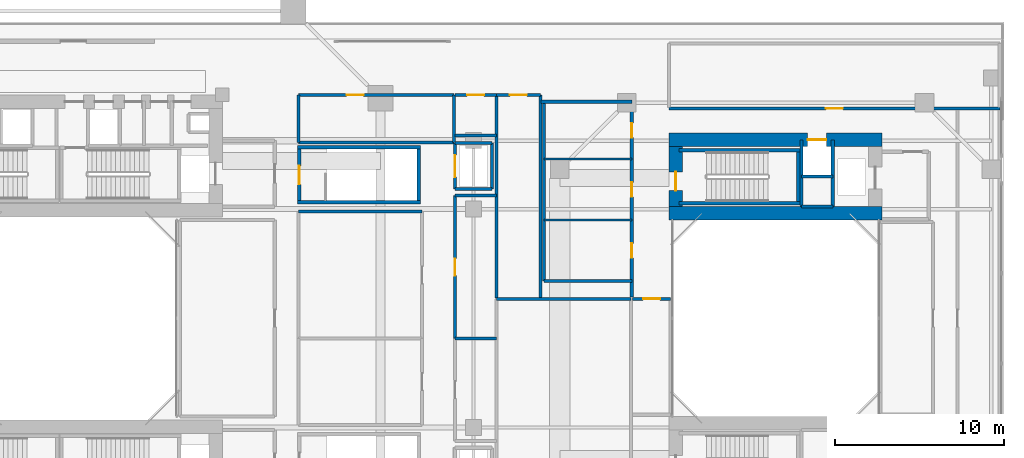
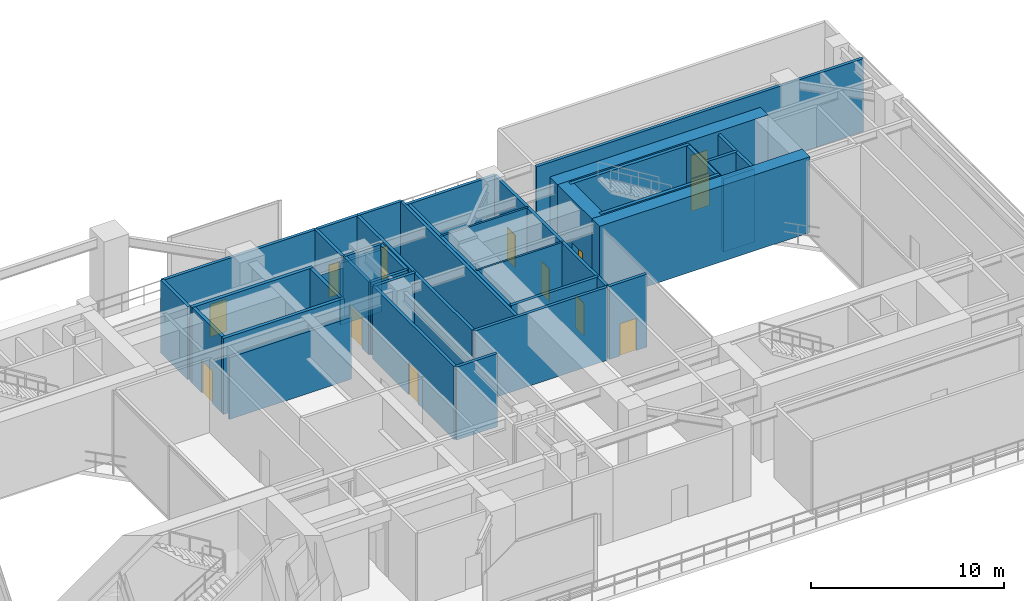
# One storey, part 14 of 19: 40 walls, 13 doors, 13 openings.
"""IFC4 building model written with IfcOpenShell, lengths in metres."""

from ifc_helpers import new_model, si_unit, direction, frame, frame_2d, origin, place, context, subcontext, project, spatial, rectangle, extrude, source, transform, mapped, material, layer, layer_set, type_object, element, fill, save


model = new_model("IFC4")

# Units and contexts
model_context = context("Model", 3, precision=1e-05, world=origin(), true_north=direction((0.0, 1.0)))
body_context = subcontext(model_context, "Body", "Model", "MODEL_VIEW")
ifc_project = project(units=[si_unit("LENGTHUNIT", "METRE"), si_unit("AREAUNIT", "SQUARE_METRE"), si_unit("VOLUMEUNIT", "CUBIC_METRE"), si_unit("PLANEANGLEUNIT", "RADIAN"), si_unit("MASSUNIT", "GRAM", prefix="KILO"), si_unit("THERMODYNAMICTEMPERATUREUNIT", "KELVIN"), si_unit("POWERUNIT", "WATT")], contexts=[model_context])

# Site, building, storey
site_placement = place(None, origin())
site = spatial("IfcSite", under=ifc_project, at=site_placement, CompositionType="ELEMENT")
building_placement = place(site_placement, origin())
building = spatial("IfcBuilding", under=site, at=building_placement, Name="Qiaomeng Ring Towers", CompositionType="ELEMENT")
storey_placement = place(building_placement, frame((0.0, 0.0, 18.199951171875)))
storey = spatial("IfcBuildingStorey", under=building, at=storey_placement, Name="L04", CompositionType="ELEMENT", Elevation=18.199951171875)

# Wall, openings, doors
ifc_material_1 = material(Name="Autoclaved aerated concrete block", Category="concrete")
ifc_layer_1 = layer(ifc_material_1, 0.179931640625, Name="Autoclaved aerated concrete block")
ifc_layer_set_1 = layer_set([ifc_layer_1], Name="Autoclaved aerated concrete block")
wall_type_1 = type_object("IfcWallType", Name="ARC-WL-PW2", PredefinedType="PARTITIONING", material=ifc_layer_set_1)
wall_1_placement = place(storey_placement, frame((52.0, 24.25, 0.0), z_axis=(0.0, 0.0, 1.0), x_axis=(0.0, 1.0, 0.0)))
wall_1 = element("IfcWall", 1, at=wall_1_placement, inside=storey, type_object=wall_type_1, Name="L04 Interior Wall PW2", PredefinedType="PARTITIONING", context=body_context, shape_type="SweptSolid", body=[
    extrude(rectangle(XDim=11.550048828125, YDim=0.179931640625, at=frame_2d((5.77490234375, 0.0))), origin(), (0.0, 0.0, 1.0), 4.6201171875),
])
opening_1_placement = place(wall_1_placement, frame((2.324951171875, 0.0, 0.0)))
opening_1 = element("IfcOpeningElement", 2, at=opening_1_placement, cuts=wall_1, Name="Opening ID2", PredefinedType="OPENING", context=body_context, shape_type="SweptSolid", body=[
    extrude(rectangle(XDim=0.85009765625, YDim=2.050048828125, at=frame_2d((0.425048828125, 1.02490234375))), frame((0.0, 0.099853515625, 0.0), z_axis=(0.0, -1.0, 0.0), x_axis=(1.0, 0.0, 0.0)), (0.0, 0.0, 1.0), 0.199951171875),
])
opening_2_placement = place(wall_1_placement, frame((5.929931640625, 0.0, 0.0)))
opening_2 = element("IfcOpeningElement", 3, at=opening_2_placement, cuts=wall_1, Name="Opening ID2", PredefinedType="OPENING", context=body_context, shape_type="SweptSolid", body=[
    extrude(rectangle(XDim=0.85009765625, YDim=2.050048828125, at=frame_2d((0.425048828125, 1.02490234375))), frame((0.0, 0.099853515625, 0.0), z_axis=(0.0, -1.0, 0.0), x_axis=(1.0, 0.0, 0.0)), (0.0, 0.0, 1.0), 0.199951171875),
])
opening_3_placement = place(wall_1_placement, frame((9.429931640625, 0.0, 0.0)))
opening_3 = element("IfcOpeningElement", 4, at=opening_3_placement, cuts=wall_1, Name="Opening ID2", PredefinedType="OPENING", context=body_context, shape_type="SweptSolid", body=[
    extrude(rectangle(XDim=0.85009765625, YDim=2.050048828125, at=frame_2d((0.425048828125, 1.02490234375))), frame((0.0, 0.099853515625, 0.0), z_axis=(0.0, -1.0, 0.0), x_axis=(1.0, 0.0, 0.0)), (0.0, 0.0, 1.0), 0.199951171875),
])
ifc_material_2 = material(Name="Moisture-resistant engineered timber", Category="wood")
door_type_1 = type_object("IfcDoorType", Name="ARC-DR-ID2", OperationType="NOTDEFINED", PredefinedType="DOOR", material=ifc_material_2)
shared_shape_1 = source(origin(), body_context, "Body", "SweptSolid", [
    extrude(rectangle(XDim=0.85009765625, YDim=2.050048828125, at=frame_2d((0.425048828125, 1.02490234375))), frame((0.0, 0.02490234375, 0.0), z_axis=(0.0, -1.0, 0.0), x_axis=(1.0, 0.0, 0.0)), (0.0, 0.0, 1.0), 0.050048828125),
])
door_1_placement = place(opening_1_placement, origin())
door_1 = element("IfcDoor", 5, at=door_1_placement, inside=storey, type_object=door_type_1, Name="L04 Door ID2", OperationType="SINGLE_SWING_RIGHT", OverallHeight=2.050048828125, OverallWidth=0.85009765625, PredefinedType="DOOR", context=body_context, shape_type="MappedRepresentation", body=[
    mapped(shared_shape_1, transform((0.0, 0.0, 0.0), x_axis=(1.0, 0.0, 0.0), y_axis=(0.0, 1.0, 0.0), z_axis=(0.0, 0.0, 1.0), scale=1.0)),
])
fill(opening_1, door_1)
door_2_placement = place(opening_2_placement, origin())
door_2 = element("IfcDoor", 6, at=door_2_placement, inside=storey, type_object=door_type_1, Name="L04 Door ID2", OperationType="SINGLE_SWING_LEFT", OverallHeight=2.050048828125, OverallWidth=0.85009765625, PredefinedType="DOOR", context=body_context, shape_type="MappedRepresentation", body=[
    mapped(shared_shape_1, transform((0.0, 0.0, 0.0), x_axis=(1.0, 0.0, 0.0), y_axis=(0.0, 1.0, 0.0), z_axis=(0.0, 0.0, 1.0), scale=1.0)),
])
fill(opening_2, door_2)
door_3_placement = place(opening_3_placement, origin())
door_3 = element("IfcDoor", 7, at=door_3_placement, inside=storey, type_object=door_type_1, Name="L04 Door ID2", OperationType="SINGLE_SWING_RIGHT", OverallHeight=2.050048828125, OverallWidth=0.85009765625, PredefinedType="DOOR", context=body_context, shape_type="MappedRepresentation", body=[
    mapped(shared_shape_1, transform((0.0, 0.0, 0.0), x_axis=(1.0, 0.0, 0.0), y_axis=(0.0, 1.0, 0.0), z_axis=(0.0, 0.0, 1.0), scale=1.0)),
])
fill(opening_3, door_3)

# Walls
wall_2_placement = place(storey_placement, frame((46.800048828125, 25.199951171875, 0.0), z_axis=(0.0, 0.0, 1.0), x_axis=(0.0, 1.0, 0.0)))
element("IfcWall", 8, at=wall_2_placement, inside=storey, type_object=wall_type_1, Name="L04 Interior Wall PW2", PredefinedType="PARTITIONING", context=body_context, shape_type="SweptSolid", body=[
    extrude(rectangle(XDim=10.60009765625, YDim=0.179931640625, at=frame_2d((5.300048828125, 0.0))), origin(), (0.0, 0.0, 1.0), 4.6201171875),
])
wall_3_placement = place(storey_placement, frame((46.800048828125, 25.199951171875, 0.0), z_axis=(0.0, 0.0, 1.0), x_axis=(1.0, 0.0, 0.0)))
element("IfcWall", 9, at=wall_3_placement, inside=storey, type_object=wall_type_1, Name="L04 Interior Wall PW2", PredefinedType="PARTITIONING", context=body_context, shape_type="SweptSolid", body=[
    extrude(rectangle(XDim=5.199951171875, YDim=0.179931640625, at=frame_2d((2.60009765625, 0.0))), origin(), (0.0, 0.0, 1.0), 4.6201171875),
])
wall_4_placement = place(storey_placement, frame((46.64990234375, 35.800048828125, 0.0), z_axis=(0.0, 0.0, 1.0), x_axis=(1.0, 0.0, 0.0)))
element("IfcWall", 10, at=wall_4_placement, inside=storey, type_object=wall_type_1, Name="L04 Interior Wall PW2", PredefinedType="PARTITIONING", context=body_context, shape_type="SweptSolid", body=[
    extrude(rectangle(XDim=5.35009765625, YDim=0.179931640625, at=frame_2d((2.675048828125, 0.0))), origin(), (0.0, 0.0, 1.0), 4.6201171875),
])
wall_5_placement = place(storey_placement, frame((32.300048828125, 29.300048828125, 0.0), z_axis=(0.0, 0.0, 1.0), x_axis=(1.0, 0.0, 0.0)))
element("IfcWall", 11, at=wall_5_placement, inside=storey, type_object=wall_type_1, Name="L04 Interior Wall PW2", PredefinedType="PARTITIONING", context=body_context, shape_type="SweptSolid", body=[
    extrude(rectangle(XDim=7.300048828125, YDim=0.179931640625, at=frame_2d((3.64990234375, 0.0))), origin(), (0.0, 0.0, 1.0), 3.9150390625),
])
wall_6_placement = place(storey_placement, frame((32.300048828125, 33.39990234375, 0.0), z_axis=(0.0, 0.0, 1.0), x_axis=(1.0, 0.0, 0.0)))
element("IfcWall", 12, at=wall_6_placement, inside=storey, type_object=wall_type_1, Name="L04 Interior Wall PW2", PredefinedType="PARTITIONING", context=body_context, shape_type="SweptSolid", body=[
    extrude(rectangle(XDim=9.199951171875, YDim=0.179931640625, at=frame_2d((4.60009765625, 0.0))), origin(), (0.0, 0.0, 1.0), 3.9150390625),
])

# Wall, opening, door
wall_7_placement = place(storey_placement, frame((32.300048828125, 36.199951171875, 0.0), z_axis=(0.0, 0.0, 1.0), x_axis=(1.0, 0.0, 0.0)))
wall_7 = element("IfcWall", 13, at=wall_7_placement, inside=storey, type_object=wall_type_1, Name="L04 Interior Wall PW2", PredefinedType="PARTITIONING", context=body_context, shape_type="SweptSolid", body=[
    extrude(rectangle(XDim=9.199951171875, YDim=0.179931640625, at=frame_2d((4.60009765625, 0.0))), origin(), (0.0, 0.0, 1.0), 4.6201171875),
])
opening_4_placement = place(wall_7_placement, frame((2.85009765625, 0.0, 0.0)))
opening_4 = element("IfcOpeningElement", 14, at=opening_4_placement, cuts=wall_7, Name="Opening FD4", PredefinedType="OPENING", context=body_context, shape_type="SweptSolid", body=[
    extrude(rectangle(XDim=1.0, YDim=2.050048828125, at=frame_2d((0.5, 1.02490234375))), frame((0.0, 0.099853515625, 0.0), z_axis=(0.0, -1.0, 0.0), x_axis=(1.0, 0.0, 0.0)), (0.0, 0.0, 1.0), 0.199951171875),
])
ifc_material_3 = material(Name="Engineered fire-rated oak timber", Category="wood")
door_type_2 = type_object("IfcDoorType", Name="ARC-DR-FD4", OperationType="NOTDEFINED", PredefinedType="DOOR", material=ifc_material_3)
shared_shape_2 = source(origin(), body_context, "Body", "SweptSolid", [
    extrude(rectangle(XDim=1.0, YDim=2.050048828125, at=frame_2d((0.5, 1.02490234375))), frame((0.0, 0.02490234375, 0.0), z_axis=(0.0, -1.0, 0.0), x_axis=(1.0, 0.0, 0.0)), (0.0, 0.0, 1.0), 0.050048828125),
])
door_4_placement = place(opening_4_placement, origin())
door_4 = element("IfcDoor", 15, at=door_4_placement, inside=storey, type_object=door_type_2, Name="L04 L04 Cardiology Examination Room Door", OperationType="SINGLE_SWING_LEFT", OverallHeight=2.050048828125, OverallWidth=1.0, PredefinedType="DOOR", context=body_context, shape_type="MappedRepresentation", body=[
    mapped(shared_shape_2, transform((0.0, 0.0, 0.0), x_axis=(1.0, 0.0, 0.0), y_axis=(0.0, 1.0, 0.0), z_axis=(0.0, 0.0, 1.0), scale=1.0)),
])
fill(opening_4, door_4)

# Walls
for number, where, z_axis, x_axis, name in (
    (16, (32.300048828125, 33.39990234375, 0.0), (0.0, 0.0, 1.0), (0.0, 1.0, 0.0), "L04 Interior Wall PW2"),
    (17, (41.5, 33.39990234375, 0.0), (0.0, 0.0, 1.0), (0.0, 1.0, 0.0), "L04 Interior Wall PW2"),
):
    element("IfcWall", number, at=place(storey_placement, frame(where, z_axis=z_axis, x_axis=x_axis)), inside=storey, type_object=wall_type_1, Name=name, PredefinedType="PARTITIONING", context=body_context, shape_type="SweptSolid", body=[
        extrude(rectangle(XDim=2.800048828125, YDim=0.179931640625, at=frame_2d((1.39990234375, 0.0))), origin(), (0.0, 0.0, 1.0), 4.6201171875),
    ])
wall_8_placement = place(storey_placement, frame((44.0, 24.14990234375, 0.0), z_axis=(0.0, 0.0, 1.0), x_axis=(1.0, 0.0, 0.0)))
element("IfcWall", 18, at=wall_8_placement, inside=storey, type_object=wall_type_1, Name="L04 Interior Wall PW2", PredefinedType="PARTITIONING", context=body_context, shape_type="SweptSolid", body=[
    extrude(rectangle(XDim=7.949951171875, YDim=0.179931640625, at=frame_2d((3.97509765625, 0.0))), origin(), (0.0, 0.0, 1.0), 4.6201171875),
])

# Wall, opening, door
wall_9_placement = place(storey_placement, frame((44.0, 36.199951171875, 0.0), z_axis=(0.0, 0.0, 1.0), x_axis=(1.0, 0.0, 0.0)))
wall_9 = element("IfcWall", 19, at=wall_9_placement, inside=storey, type_object=wall_type_1, Name="L04 Interior Wall PW2", PredefinedType="PARTITIONING", context=body_context, shape_type="SweptSolid", body=[
    extrude(rectangle(XDim=2.60009765625, YDim=0.179931640625, at=frame_2d((1.300048828125, 0.0))), origin(), (0.0, 0.0, 1.0), 4.6201171875),
])
opening_5_placement = place(wall_9_placement, frame((0.800048828125, 0.0, 0.0)))
opening_5 = element("IfcOpeningElement", 20, at=opening_5_placement, cuts=wall_9, Name="Opening FD4", PredefinedType="OPENING", context=body_context, shape_type="SweptSolid", body=[
    extrude(rectangle(XDim=1.0, YDim=2.050048828125, at=frame_2d((0.5, 1.02490234375))), frame((0.0, 0.099853515625, 0.0), z_axis=(0.0, -1.0, 0.0), x_axis=(1.0, 0.0, 0.0)), (0.0, 0.0, 1.0), 0.199951171875),
])
door_5_placement = place(opening_5_placement, origin())
door_5 = element("IfcDoor", 21, at=door_5_placement, inside=storey, type_object=door_type_2, Name="L04 L04 Dental Care Clinic Door", OperationType="SINGLE_SWING_LEFT", OverallHeight=2.050048828125, OverallWidth=1.0, PredefinedType="DOOR", context=body_context, shape_type="MappedRepresentation", body=[
    mapped(shared_shape_2, transform((0.0, 0.0, 0.0), x_axis=(1.0, 0.0, 0.0), y_axis=(0.0, 1.0, 0.0), z_axis=(0.0, 0.0, 1.0), scale=1.0)),
])
fill(opening_5, door_5)

# Walls
for number, where, z_axis, x_axis, name in (
    (22, (44.0, 24.199951171875, 0.0), (0.0, 0.0, 1.0), (0.0, 1.0, 0.0), "L04 Interior Wall PW2"),
    (23, (46.60009765625, 24.199951171875, 0.0), (0.0, 0.0, 1.0), (0.0, 1.0, 0.0), "L04 Interior Wall PW2"),
):
    element("IfcWall", number, at=place(storey_placement, frame(where, z_axis=z_axis, x_axis=x_axis)), inside=storey, type_object=wall_type_1, Name=name, PredefinedType="PARTITIONING", context=body_context, shape_type="SweptSolid", body=[
        extrude(rectangle(XDim=12.0, YDim=0.179931640625, at=frame_2d((6.0, 0.0))), origin(), (0.0, 0.0, 1.0), 4.6201171875),
    ])
for number, where, z_axis, x_axis, name in (
    (24, (41.550048828125, 21.800048828125, 0.0), (0.0, 0.0, 1.0), (1.0, 0.0, 0.0), "L04 Interior Wall PW2"),
    (25, (41.550048828125, 30.25, 0.0), (0.0, 0.0, 1.0), (1.0, 0.0, 0.0), "L04 Interior Wall PW2"),
):
    element("IfcWall", number, at=place(storey_placement, frame(where, z_axis=z_axis, x_axis=x_axis)), inside=storey, type_object=wall_type_1, Name=name, PredefinedType="PARTITIONING", context=body_context, shape_type="SweptSolid", body=[
        extrude(rectangle(XDim=2.449951171875, YDim=0.179931640625, at=frame_2d((1.22509765625, 0.0))), origin(), (0.0, 0.0, 1.0), 4.6201171875),
    ])

# Wall, opening, door
wall_10_placement = place(storey_placement, frame((41.550048828125, 21.800048828125, 0.0), z_axis=(0.0, 0.0, 1.0), x_axis=(0.0, 1.0, 0.0)))
wall_10 = element("IfcWall", 26, at=wall_10_placement, inside=storey, type_object=wall_type_1, Name="L04 Interior Wall PW2", PredefinedType="PARTITIONING", context=body_context, shape_type="SweptSolid", body=[
    extrude(rectangle(XDim=8.449951171875, YDim=0.179931640625, at=frame_2d((4.22509765625, 0.0))), origin(), (0.0, 0.0, 1.0), 4.6201171875),
])
opening_6_placement = place(wall_10_placement, frame((3.72509765625, 0.0, 0.0)))
opening_6 = element("IfcOpeningElement", 27, at=opening_6_placement, cuts=wall_10, Name="Opening FD4", PredefinedType="OPENING", context=body_context, shape_type="SweptSolid", body=[
    extrude(rectangle(XDim=1.0, YDim=2.050048828125, at=frame_2d((0.5, 1.02490234375))), frame((0.0, 0.099853515625, 0.0), z_axis=(0.0, -1.0, 0.0), x_axis=(1.0, 0.0, 0.0)), (0.0, 0.0, 1.0), 0.199951171875),
])
door_6_placement = place(opening_6_placement, origin())
door_6 = element("IfcDoor", 28, at=door_6_placement, inside=storey, type_object=door_type_2, Name="L04 L04 Health Informatics Office Door", OperationType="SINGLE_SWING_RIGHT", OverallHeight=2.050048828125, OverallWidth=1.0, PredefinedType="DOOR", context=body_context, shape_type="MappedRepresentation", body=[
    mapped(shared_shape_2, transform((0.0, 0.0, 0.0), x_axis=(1.0, 0.0, 0.0), y_axis=(0.0, 1.0, 0.0), z_axis=(0.0, 0.0, 1.0), scale=1.0)),
])
fill(opening_6, door_6)

# Wall
wall_11_placement = place(storey_placement, frame((41.550048828125, 33.800048828125, 0.0), z_axis=(0.0, 0.0, 1.0), x_axis=(1.0, 0.0, 0.0)))
element("IfcWall", 29, at=wall_11_placement, inside=storey, type_object=wall_type_1, Name="L04 Interior Wall PW2", PredefinedType="PARTITIONING", context=body_context, shape_type="SweptSolid", body=[
    extrude(rectangle(XDim=2.449951171875, YDim=0.179931640625, at=frame_2d((1.22509765625, 0.0))), origin(), (0.0, 0.0, 1.0), 3.9150390625),
])

# Wall, opening, door
wall_12_placement = place(storey_placement, frame((41.550048828125, 36.199951171875, 0.0), z_axis=(0.0, 0.0, 1.0), x_axis=(1.0, 0.0, 0.0)))
wall_12 = element("IfcWall", 30, at=wall_12_placement, inside=storey, type_object=wall_type_1, Name="L04 Interior Wall PW2", PredefinedType="PARTITIONING", context=body_context, shape_type="SweptSolid", body=[
    extrude(rectangle(XDim=2.449951171875, YDim=0.179931640625, at=frame_2d((1.22509765625, 0.0))), origin(), (0.0, 0.0, 1.0), 4.6201171875),
])
opening_7_placement = place(wall_12_placement, frame((0.72509765625, 0.0, 0.0)))
opening_7 = element("IfcOpeningElement", 31, at=opening_7_placement, cuts=wall_12, Name="Opening FD4", PredefinedType="OPENING", context=body_context, shape_type="SweptSolid", body=[
    extrude(rectangle(XDim=1.0, YDim=2.050048828125, at=frame_2d((0.5, 1.02490234375))), frame((0.0, 0.099853515625, 0.0), z_axis=(0.0, -1.0, 0.0), x_axis=(1.0, 0.0, 0.0)), (0.0, 0.0, 1.0), 0.199951171875),
])
door_7_placement = place(opening_7_placement, origin())
door_7 = element("IfcDoor", 32, at=door_7_placement, inside=storey, type_object=door_type_2, Name="L04 L04 Medical Records Office Door", OperationType="SINGLE_SWING_LEFT", OverallHeight=2.050048828125, OverallWidth=1.0, PredefinedType="DOOR", context=body_context, shape_type="MappedRepresentation", body=[
    mapped(shared_shape_2, transform((0.0, 0.0, 0.0), x_axis=(1.0, 0.0, 0.0), y_axis=(0.0, 1.0, 0.0), z_axis=(0.0, 0.0, 1.0), scale=1.0)),
])
fill(opening_7, door_7)

wall_13_placement = place(storey_placement, frame((52.050048828125, 24.14990234375, 0.0), z_axis=(0.0, 0.0, 1.0), x_axis=(1.0, 0.0, 0.0)))
wall_13 = element("IfcWall", 33, at=wall_13_placement, inside=storey, type_object=wall_type_1, Name="L04 Interior Wall PW2", PredefinedType="PARTITIONING", context=body_context, shape_type="SweptSolid", body=[
    extrude(rectangle(XDim=2.25, YDim=0.179931640625, at=frame_2d((1.125, 0.0))), origin(), (0.0, 0.0, 1.0), 4.6201171875),
])
opening_8_placement = place(wall_13_placement, frame((0.625, 0.0, 0.0)))
opening_8 = element("IfcOpeningElement", 34, at=opening_8_placement, cuts=wall_13, Name="Opening FD4", PredefinedType="OPENING", context=body_context, shape_type="SweptSolid", body=[
    extrude(rectangle(XDim=1.0, YDim=2.050048828125, at=frame_2d((0.5, 1.02490234375))), frame((0.0, 0.099853515625, 0.0), z_axis=(0.0, -1.0, 0.0), x_axis=(1.0, 0.0, 0.0)), (0.0, 0.0, 1.0), 0.199951171875),
])
door_8_placement = place(opening_8_placement, origin())
door_8 = element("IfcDoor", 35, at=door_8_placement, inside=storey, type_object=door_type_2, Name="L04 L04 Audiology Screening Clinic Door", OperationType="SINGLE_SWING_RIGHT", OverallHeight=2.050048828125, OverallWidth=1.0, PredefinedType="DOOR", context=body_context, shape_type="MappedRepresentation", body=[
    mapped(shared_shape_2, transform((0.0, 0.0, 0.0), x_axis=(1.0, 0.0, 0.0), y_axis=(0.0, 1.0, 0.0), z_axis=(0.0, 0.0, 1.0), scale=1.0)),
])
fill(opening_8, door_8)

wall_14_placement = place(storey_placement, frame((54.199951171875, 35.39990234375, 0.0), z_axis=(0.0, 0.0, 1.0), x_axis=(1.0, 0.0, 0.0)))
wall_14 = element("IfcWall", 36, at=wall_14_placement, inside=storey, type_object=wall_type_1, Name="L04 Interior Wall PW2", PredefinedType="PARTITIONING", context=body_context, shape_type="SweptSolid", body=[
    extrude(rectangle(XDim=19.550048828125, YDim=0.179931640625, at=frame_2d((9.77490234375, 0.0))), origin(), (0.0, 0.0, 1.0), 4.6201171875),
])
opening_9_placement = place(wall_14_placement, frame((9.27490234375, 0.0, 0.0)))
opening_9 = element("IfcOpeningElement", 37, at=opening_9_placement, cuts=wall_14, Name="Opening FD4", PredefinedType="OPENING", context=body_context, shape_type="SweptSolid", body=[
    extrude(rectangle(XDim=1.0, YDim=2.050048828125, at=frame_2d((0.5, 1.02490234375))), frame((0.0, 0.099853515625, 0.0), z_axis=(0.0, -1.0, 0.0), x_axis=(1.0, 0.0, 0.0)), (0.0, 0.0, 1.0), 0.199951171875),
])
door_9_placement = place(opening_9_placement, origin())
door_9 = element("IfcDoor", 38, at=door_9_placement, inside=storey, type_object=door_type_2, Name="L04 L04 Staff Dining Room Door", OperationType="SINGLE_SWING_LEFT", OverallHeight=2.050048828125, OverallWidth=1.0, PredefinedType="DOOR", context=body_context, shape_type="MappedRepresentation", body=[
    mapped(shared_shape_2, transform((0.0, 0.0, 0.0), x_axis=(1.0, 0.0, 0.0), y_axis=(0.0, 1.0, 0.0), z_axis=(0.0, 0.0, 1.0), scale=1.0)),
])
fill(opening_9, door_9)

# Walls
ifc_material_4 = material(Name="Moisture-resistant gypsum steel-stud partition", Category="steel")
ifc_layer_2 = layer(ifc_material_4, 0.1201171875, Name="Moisture-resistant gypsum steel-stud partition")
ifc_layer_set_2 = layer_set([ifc_layer_2], Name="Moisture-resistant gypsum steel-stud partition")
wall_type_2 = type_object("IfcWallType", Name="ARC-WL-PW4", PredefinedType="PLUMBINGWALL", material=ifc_layer_set_2)
for number, where, z_axis, x_axis, name in (
    (39, (46.800048828125, 28.800048828125, 0.0), (0.0, 0.0, 1.0), (1.0, 0.0, 0.0), "L04 Interior Wall PW4"),
    (40, (46.800048828125, 32.409912109375, 0.0), (0.0, 0.0, 1.0), (1.0, 0.0, 0.0), "L04 Interior Wall PW4"),
):
    element("IfcWall", number, at=place(storey_placement, frame(where, z_axis=z_axis, x_axis=x_axis)), inside=storey, type_object=wall_type_2, Name=name, PredefinedType="PLUMBINGWALL", context=body_context, shape_type="SweptSolid", body=[
        extrude(rectangle(XDim=5.199951171875, YDim=0.1201171875, at=frame_2d((2.60009765625, 0.0))), origin(), (0.0, 0.0, 1.0), 4.6201171875),
    ])
ifc_material_5 = material(Name="Concrete C40", Category="concrete")
ifc_layer_3 = layer(ifc_material_5, 0.199951171875, Name="Concrete C40")
ifc_layer_set_3 = layer_set([ifc_layer_3], Name="Concrete C40")
wall_type_3 = type_object("IfcWallType", Name="STR-WL-STSHAFT", PredefinedType="SHEAR", material=ifc_layer_set_3)
for number, where, z_axis, x_axis, name in (
    (41, (62.02001953125, 29.60009765625, 0.0), (0.0, 0.0, 1.0), (0.0, 1.0, 0.0), "L04 Companion Lift Shaft West Wall N"),
    (42, (63.8798828125, 29.60009765625, 0.0), (0.0, 0.0, 1.0), (0.0, 1.0, 0.0), "L04 Companion Lift Shaft East Wall N"),
):
    element("IfcWall", number, at=place(storey_placement, frame(where, z_axis=z_axis, x_axis=x_axis)), inside=storey, type_object=wall_type_3, Name=name, PredefinedType="SHEAR", context=body_context, shape_type="SweptSolid", body=[
        extrude(rectangle(XDim=3.949951171875, YDim=0.179931640625, at=frame_2d((1.97509765625, 0.0))), origin(), (0.0, 0.0, 1.0), 4.6201171875),
    ])
for number, where, z_axis, x_axis, name in (
    (43, (62.02001953125, 31.3798828125, 0.0), (0.0, 0.0, 1.0), (1.0, 0.0, 0.0), "L04 Companion Lift Shaft Divider Wall N"),
    (44, (62.02001953125, 29.60009765625, 0.0), (0.0, 0.0, 1.0), (1.0, 0.0, 0.0), "L04 Companion Riser Shaft Back Wall N"),
):
    element("IfcWall", number, at=place(storey_placement, frame(where, z_axis=z_axis, x_axis=x_axis)), inside=storey, type_object=wall_type_3, Name=name, PredefinedType="SHEAR", context=body_context, shape_type="SweptSolid", body=[
        extrude(rectangle(XDim=1.85986328125, YDim=0.179931640625, at=frame_2d((0.929931640625, 0.0))), origin(), (0.0, 0.0, 1.0), 4.6201171875),
    ])

# Wall, opening, door
wall_15_placement = place(storey_placement, frame((41.550048828125, 30.64990234375, 0.0), z_axis=(0.0, 0.0, 1.0), x_axis=(0.0, 1.0, 0.0)))
wall_15 = element("IfcWall", 45, at=wall_15_placement, inside=storey, type_object=wall_type_3, Name="L04 Medical Lift LP9 West Shaft Wall", PredefinedType="SHEAR", context=body_context, shape_type="SweptSolid", body=[
    extrude(rectangle(XDim=2.7001953125, YDim=0.179931640625, at=frame_2d((1.35009765625, 0.0))), origin(), (0.0, 0.0, 1.0), 4.6201171875),
])
opening_10_placement = place(wall_15_placement, frame((0.699951171875, 0.0, 0.0)))
opening_10 = element("IfcOpeningElement", 46, at=opening_10_placement, cuts=wall_15, Name="Opening LD2", PredefinedType="OPENING", context=body_context, shape_type="SweptSolid", body=[
    extrude(rectangle(XDim=1.300048828125, YDim=2.050048828125, at=frame_2d((0.64990234375, 1.02490234375))), frame((0.0, 0.099853515625, 0.0), z_axis=(0.0, -1.0, 0.0), x_axis=(1.0, 0.0, 0.0)), (0.0, 0.0, 1.0), 0.199951171875),
])
ifc_material_6 = material(Name="Stainless steel 316", Category="steel")
door_type_3 = type_object("IfcDoorType", Name="ARC-DR-LD2", OperationType="NOTDEFINED", PredefinedType="DOOR", material=ifc_material_6)
shared_shape_3 = source(origin(), body_context, "Body", "SweptSolid", [
    extrude(rectangle(XDim=1.300048828125, YDim=2.050048828125, at=frame_2d((0.64990234375, 1.02490234375))), frame((0.0, 0.02490234375, 0.0), z_axis=(0.0, -1.0, 0.0), x_axis=(1.0, 0.0, 0.0)), (0.0, 0.0, 1.0), 0.050048828125),
])
door_10_placement = place(opening_10_placement, origin())
door_10 = element("IfcDoor", 47, at=door_10_placement, inside=storey, type_object=door_type_3, Name="L04 Medical Lift LP9 Landing Door", OperationType="SLIDING_TO_LEFT", OverallHeight=2.050048828125, OverallWidth=1.300048828125, PredefinedType="DOOR", context=body_context, shape_type="MappedRepresentation", body=[
    mapped(shared_shape_3, transform((0.0, 0.0, 0.0), x_axis=(1.0, 0.0, 0.0), y_axis=(0.0, 1.0, 0.0), z_axis=(0.0, 0.0, 1.0), scale=1.0)),
])
fill(opening_10, door_10)

# Walls
wall_16_placement = place(storey_placement, frame((43.75, 30.64990234375, 0.0), z_axis=(0.0, 0.0, 1.0), x_axis=(0.0, 1.0, 0.0)))
element("IfcWall", 48, at=wall_16_placement, inside=storey, type_object=wall_type_3, Name="L04 Medical Lift LP9 East Shaft Wall", PredefinedType="SHEAR", context=body_context, shape_type="SweptSolid", body=[
    extrude(rectangle(XDim=2.7001953125, YDim=0.179931640625, at=frame_2d((1.35009765625, 0.0))), origin(), (0.0, 0.0, 1.0), 4.6201171875),
])
for number, where, z_axis, x_axis, name in (
    (49, (41.550048828125, 30.64990234375, 0.0), (0.0, 0.0, 1.0), (1.0, 0.0, 0.0), "L04 Medical Lift LP9 South Shaft Wall"),
    (50, (41.550048828125, 33.35009765625, 0.0), (0.0, 0.0, 1.0), (1.0, 0.0, 0.0), "L04 Medical Lift LP9 North Shaft Wall"),
):
    element("IfcWall", number, at=place(storey_placement, frame(where, z_axis=z_axis, x_axis=x_axis)), inside=storey, type_object=wall_type_3, Name=name, PredefinedType="SHEAR", context=body_context, shape_type="SweptSolid", body=[
        extrude(rectangle(XDim=2.199951171875, YDim=0.179931640625, at=frame_2d((1.10009765625, 0.0))), origin(), (0.0, 0.0, 1.0), 4.6201171875),
    ])
for number, where, z_axis, x_axis, name in (
    (51, (54.800048828125, 29.800048828125, 0.0), (0.0, 0.0, 1.0), (1.0, 0.0, 0.0), "L04 Stair ST5 South Shaft Shear Wall"),
    (52, (54.800048828125, 32.93994140625, 0.0), (0.0, 0.0, 1.0), (1.0, 0.0, 0.0), "L04 Stair ST5 North Shaft Shear Wall"),
):
    element("IfcWall", number, at=place(storey_placement, frame(where, z_axis=z_axis, x_axis=x_axis)), inside=storey, type_object=wall_type_3, Name=name, PredefinedType="SHEAR", context=body_context, shape_type="SweptSolid", body=[
        extrude(rectangle(XDim=7.14990234375, YDim=0.199951171875, at=frame_2d((3.574951171875, 0.0))), origin(), (0.0, 0.0, 1.0), 4.800048828125),
    ])
wall_17_placement = place(storey_placement, frame((61.85009765625, 29.89990234375, 0.0), z_axis=(0.0, 0.0, 1.0), x_axis=(0.0, 1.0, 0.0)))
element("IfcWall", 53, at=wall_17_placement, inside=storey, type_object=wall_type_3, Name="L04 Stair ST5 East Shaft Shear Wall", PredefinedType="SHEAR", context=body_context, shape_type="SweptSolid", body=[
    extrude(rectangle(XDim=2.940185546875, YDim=0.199951171875, at=frame_2d((1.47021484375, 0.0))), origin(), (0.0, 0.0, 1.0), 4.800048828125),
])
for number, where, z_axis, x_axis, name in (
    (54, (32.25, 29.860107421875, 0.0), (0.0, 0.0, 1.0), (1.0, 0.0, 0.0), "L04 Stair ST7 South Shaft Shear Wall"),
    (55, (32.25, 33.10009765625, 0.0), (0.0, 0.0, 1.0), (1.0, 0.0, 0.0), "L04 Stair ST7 North Shaft Shear Wall"),
):
    element("IfcWall", number, at=place(storey_placement, frame(where, z_axis=z_axis, x_axis=x_axis)), inside=storey, type_object=wall_type_3, Name=name, PredefinedType="SHEAR", context=body_context, shape_type="SweptSolid", body=[
        extrude(rectangle(XDim=7.25, YDim=0.199951171875, at=frame_2d((3.625, 0.0))), origin(), (0.0, 0.0, 1.0), 4.800048828125),
    ])

# Wall, opening, door
wall_18_placement = place(storey_placement, frame((32.35009765625, 29.9599609375, 0.0), z_axis=(0.0, 0.0, 1.0), x_axis=(0.0, 1.0, 0.0)))
wall_18 = element("IfcWall", 56, at=wall_18_placement, inside=storey, type_object=wall_type_3, Name="L04 Stair ST7 West Shaft Shear Wall", PredefinedType="SHEAR", context=body_context, shape_type="SweptSolid", body=[
    extrude(rectangle(XDim=3.0400390625, YDim=0.199951171875, at=frame_2d((1.52001953125, 0.0))), origin(), (0.0, 0.0, 1.0), 4.800048828125),
])
opening_11_placement = place(wall_18_placement, frame((0.949951171875, 0.0, 0.0)))
opening_11 = element("IfcOpeningElement", 57, at=opening_11_placement, cuts=wall_18, Name="Opening FD3", PredefinedType="OPENING", context=body_context, shape_type="SweptSolid", body=[
    extrude(rectangle(XDim=1.10009765625, YDim=2.050048828125, at=frame_2d((0.550048828125, 1.02490234375))), frame((0.0, 0.10986328125, 0.0), z_axis=(0.0, -1.0, 0.0), x_axis=(1.0, 0.0, 0.0)), (0.0, 0.0, 1.0), 0.219970703125),
])
ifc_material_7 = material(Name="Galvanised steel", Category="steel")
door_type_4 = type_object("IfcDoorType", Name="ARC-DR-FD3", OperationType="NOTDEFINED", PredefinedType="DOOR", material=ifc_material_7)
shared_shape_4 = source(origin(), body_context, "Body", "SweptSolid", [
    extrude(rectangle(XDim=1.10009765625, YDim=2.050048828125, at=frame_2d((0.550048828125, 1.02490234375))), frame((0.0, 0.02490234375, 0.0), z_axis=(0.0, -1.0, 0.0), x_axis=(1.0, 0.0, 0.0)), (0.0, 0.0, 1.0), 0.050048828125),
])
door_11_placement = place(opening_11_placement, origin())
door_11 = element("IfcDoor", 58, at=door_11_placement, inside=storey, type_object=door_type_4, Name="L04 Podium Stair ST7 Exit Door", OperationType="SINGLE_SWING_RIGHT", OverallHeight=2.050048828125, OverallWidth=1.10009765625, PredefinedType="DOOR", context=body_context, shape_type="MappedRepresentation", body=[
    mapped(shared_shape_4, transform((0.0, 0.0, 0.0), x_axis=(1.0, 0.0, 0.0), y_axis=(0.0, 1.0, 0.0), z_axis=(0.0, 0.0, 1.0), scale=1.0)),
])
fill(opening_11, door_11)

# Walls
wall_19_placement = place(storey_placement, frame((39.39990234375, 29.9599609375, 0.0), z_axis=(0.0, 0.0, 1.0), x_axis=(0.0, 1.0, 0.0)))
element("IfcWall", 59, at=wall_19_placement, inside=storey, type_object=wall_type_3, Name="L04 Stair ST7 East Shaft Shear Wall", PredefinedType="SHEAR", context=body_context, shape_type="SweptSolid", body=[
    extrude(rectangle(XDim=3.0400390625, YDim=0.199951171875, at=frame_2d((1.52001953125, 0.0))), origin(), (0.0, 0.0, 1.0), 4.800048828125),
])
ifc_material_8 = material(Name="Concrete C60", Category="concrete")
ifc_layer_4 = layer(ifc_material_8, 0.800048828125, Name="Concrete C60")
ifc_layer_set_4 = layer_set([ifc_layer_4], Name="Concrete C60")
wall_type_4 = type_object("IfcWallType", Name="STR-WL-SW1", PredefinedType="SHEAR", material=ifc_layer_set_4)
wall_20_placement = place(storey_placement, frame((54.199951171875, 29.199951171875, 0.0), z_axis=(0.0, 0.0, 1.0), x_axis=(1.0, 0.0, 0.0)))
element("IfcWall", 60, at=wall_20_placement, inside=storey, type_object=wall_type_4, Name="L04 T2NC south core shear wall", PredefinedType="SHEAR", context=body_context, shape_type="SweptSolid", body=[
    extrude(rectangle(XDim=12.60009765625, YDim=0.800048828125, at=frame_2d((6.300048828125, 0.0))), origin(), (0.0, 0.0, 1.0), 4.800048828125),
])

# Wall, opening, door
wall_21_placement = place(storey_placement, frame((54.199951171875, 33.550048828125, 0.0), z_axis=(0.0, 0.0, 1.0), x_axis=(1.0, 0.0, 0.0)))
wall_21 = element("IfcWall", 61, at=wall_21_placement, inside=storey, type_object=wall_type_4, Name="L04 T2NC north core shear wall", PredefinedType="SHEAR", context=body_context, shape_type="SweptSolid", body=[
    extrude(rectangle(XDim=12.60009765625, YDim=0.800048828125, at=frame_2d((6.300048828125, 0.0))), origin(), (0.0, 0.0, 1.0), 4.800048828125),
])
opening_12_placement = place(wall_21_placement, frame((8.199951171875, 0.0, 0.0)))
opening_12 = element("IfcOpeningElement", 62, at=opening_12_placement, cuts=wall_21, Name="Opening LD1", PredefinedType="OPENING", context=body_context, shape_type="SweptSolid", body=[
    extrude(rectangle(XDim=1.10009765625, YDim=2.050048828125, at=frame_2d((0.550048828125, 1.02490234375))), frame((0.0, 0.409912109375, 0.0), z_axis=(0.0, -1.0, 0.0), x_axis=(1.0, 0.0, 0.0)), (0.0, 0.0, 1.0), 0.820068359375),
])
door_type_5 = type_object("IfcDoorType", Name="ARC-DR-LD1", OperationType="NOTDEFINED", PredefinedType="DOOR", material=ifc_material_6)
door_12_placement = place(opening_12_placement, origin())
door_12 = element("IfcDoor", 63, at=door_12_placement, inside=storey, type_object=door_type_5, Name="L04 Companion Lift LP7 Landing Door", OperationType="SLIDING_TO_LEFT", OverallHeight=2.050048828125, OverallWidth=1.10009765625, PredefinedType="DOOR", context=body_context, shape_type="MappedRepresentation", body=[
    mapped(shared_shape_4, transform((0.0, 0.0, 0.0), x_axis=(1.0, 0.0, 0.0), y_axis=(0.0, 1.0, 0.0), z_axis=(0.0, 0.0, 1.0), scale=1.0)),
])
fill(opening_12, door_12)

wall_22_placement = place(storey_placement, frame((54.60009765625, 29.60009765625, 0.0), z_axis=(0.0, 0.0, 1.0), x_axis=(0.0, 1.0, 0.0)))
wall_22 = element("IfcWall", 64, at=wall_22_placement, inside=storey, type_object=wall_type_4, Name="L04 T2NC west core shear wall", PredefinedType="SHEAR", context=body_context, shape_type="SweptSolid", body=[
    extrude(rectangle(XDim=3.5498046875, YDim=0.800048828125, at=frame_2d((1.77490234375, 0.0))), origin(), (0.0, 0.0, 1.0), 4.800048828125),
])
opening_13_placement = place(wall_22_placement, frame((0.949951171875, 0.0, 0.0)))
opening_13 = element("IfcOpeningElement", 65, at=opening_13_placement, cuts=wall_22, Name="Opening FD3", PredefinedType="OPENING", context=body_context, shape_type="SweptSolid", body=[
    extrude(rectangle(XDim=1.10009765625, YDim=2.050048828125, at=frame_2d((0.550048828125, 1.02490234375))), frame((0.0, 0.409912109375, 0.0), z_axis=(0.0, -1.0, 0.0), x_axis=(1.0, 0.0, 0.0)), (0.0, 0.0, 1.0), 0.820068359375),
])
door_13_placement = place(opening_13_placement, origin())
door_13 = element("IfcDoor", 66, at=door_13_placement, inside=storey, type_object=door_type_4, Name="L04 Stair ST5 Exit Door", OperationType="SINGLE_SWING_LEFT", OverallHeight=2.050048828125, OverallWidth=1.10009765625, PredefinedType="DOOR", context=body_context, shape_type="MappedRepresentation", body=[
    mapped(shared_shape_4, transform((0.0, 0.0, 0.0), x_axis=(1.0, 0.0, 0.0), y_axis=(0.0, 1.0, 0.0), z_axis=(0.0, 0.0, 1.0), scale=1.0)),
])
fill(opening_13, door_13)

save(model, "model.ifc")
